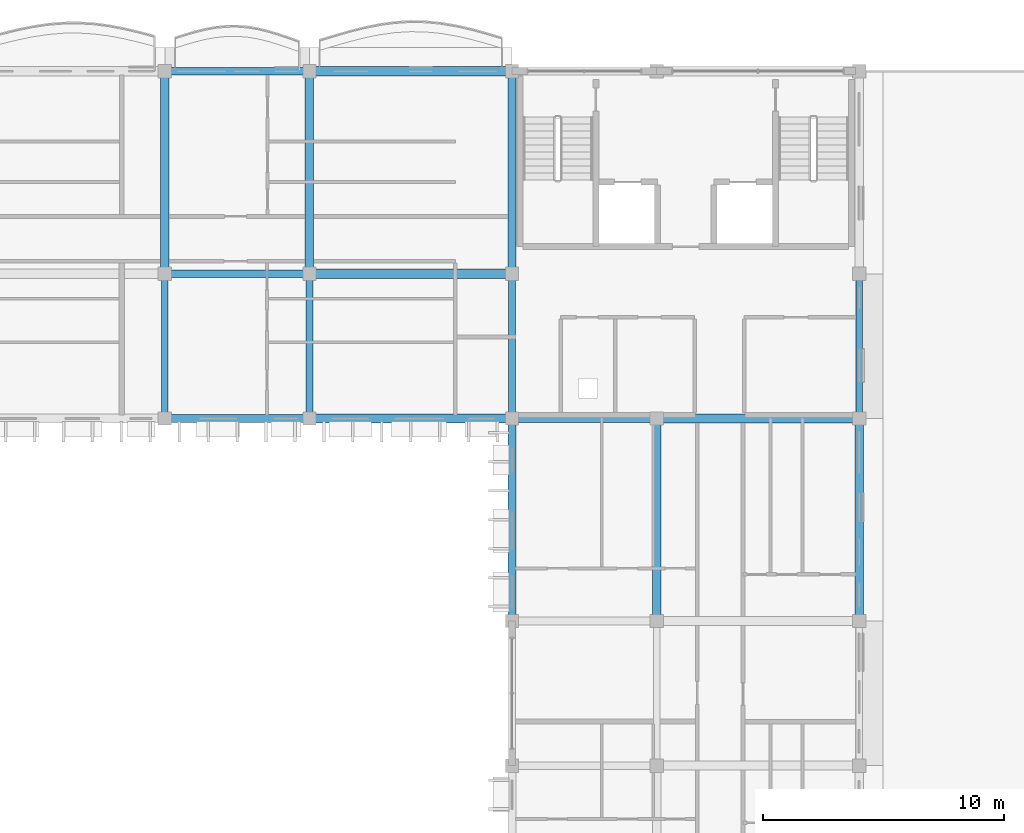
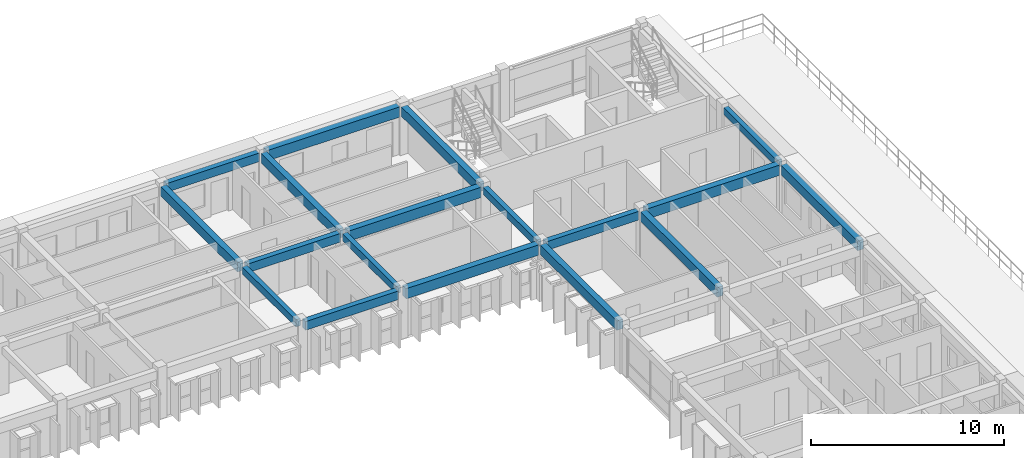
# One storey, part 16 of 68: 18 beams.
"""IFC4 building model written with IfcOpenShell, lengths in metres."""

from ifc_helpers import new_model, si_unit, direction, frame, origin, origin_2d, place, context, subcontext, project, spatial, rectangle, extrude, material, material_profile, profile_set, type_object, element, save


model = new_model("IFC4")

# Units and contexts
model_context = context("Model", 3, precision=1e-05, world=origin(), true_north=direction((0.0, 1.0)))
body_context = subcontext(model_context, "Body", "Model", "MODEL_VIEW")
ifc_project = project(units=[si_unit("LENGTHUNIT", "METRE"), si_unit("AREAUNIT", "SQUARE_METRE"), si_unit("VOLUMEUNIT", "CUBIC_METRE"), si_unit("PLANEANGLEUNIT", "RADIAN"), si_unit("MASSUNIT", "GRAM", prefix="KILO"), si_unit("THERMODYNAMICTEMPERATUREUNIT", "KELVIN")], contexts=[model_context])

# Site, building, storey
site_placement = place(None, origin())
site = spatial("IfcSite", under=ifc_project, at=site_placement, CompositionType="ELEMENT")
building_placement = place(site_placement, origin())
building = spatial("IfcBuilding", under=site, at=building_placement, Name="Thalorik Housing Commons", CompositionType="ELEMENT")
storey_placement = place(building_placement, frame((0.0, 0.0, 24.60009765625)))
storey = spatial("IfcBuildingStorey", under=building, at=storey_placement, Name="L07", CompositionType="ELEMENT", Elevation=24.60009765625)

# Beams
ifc_material = material(Name="Precast concrete C40/50", Category="concrete")
ifc_material_profile_1 = material_profile(ifc_material, rectangle(XDim=0.280029296875, YDim=0.449951171875, at=origin_2d()), Name="PC 280x450", Category="concrete")
ifc_profile_set_1 = profile_set([ifc_material_profile_1], Name="Precast concrete C40/50")
beam_type_1 = type_object("IfcBeamType", Name="STR-BM-PC280x450", PredefinedType="BEAM", material=ifc_profile_set_1)
for number, where, z_axis, x_axis, name in (
    (1, (138.0, 109.425048828125, 2.81494140625), (0.0, 1.0, 0.0), (-1.0, 0.0, 0.0), "L07 Beam B-450"),
    (2, (144.0, 109.425048828125, 2.81494140625), (0.0, 1.0, 0.0), (-1.0, 0.0, 0.0), "L07 Beam B-450"),
    (3, (152.39990234375, 109.425048828125, 2.81494140625), (0.0, 1.0, 0.0), (-1.0, 0.0, 0.0), "L07 Beam B-450"),
    (4, (166.800048828125, 109.425048828125, 2.81494140625), (0.0, 1.0, 0.0), (-1.0, 0.0, 0.0), "L07 Beam B-450"),
):
    element("IfcBeam", number, at=place(storey_placement, frame(where, z_axis=z_axis, x_axis=x_axis)), inside=storey, type_object=beam_type_1, Name=name, PredefinedType="BEAM", context=body_context, shape_type="SweptSolid", body=[
        extrude(rectangle(XDim=0.280029296875, YDim=0.449951171875, at=origin_2d()), origin(), (0.0, 0.0, 1.0), 5.550048828125),
    ])
ifc_material_profile_2 = material_profile(ifc_material, rectangle(XDim=0.320068359375, YDim=0.550048828125, at=origin_2d()), Name="PC 320x550", Category="concrete")
ifc_profile_set_2 = profile_set([ifc_material_profile_2], Name="Precast concrete C40/50")
beam_type_2 = type_object("IfcBeamType", Name="STR-BM-PC320x550", PredefinedType="BEAM", material=ifc_profile_set_2)
beam_1_placement = place(storey_placement, frame((138.22509765625, 109.199951171875, 2.764892578125), z_axis=(1.0, 0.0, 0.0), x_axis=(0.0, 1.0, 0.0)))
element("IfcBeam", 5, at=beam_1_placement, inside=storey, type_object=beam_type_2, Name="L07 Beam B-550", PredefinedType="BEAM", context=body_context, shape_type="SweptSolid", body=[
    extrude(rectangle(XDim=0.320068359375, YDim=0.550048828125, at=origin_2d()), origin(), (0.0, 0.0, 1.0), 5.5498046875),
])
beam_2_placement = place(storey_placement, frame((152.625, 109.199951171875, 2.764892578125), z_axis=(1.0, 0.0, 0.0), x_axis=(0.0, 1.0, 0.0)))
element("IfcBeam", 6, at=beam_2_placement, inside=storey, type_object=beam_type_2, Name="L07 Beam B-550", PredefinedType="BEAM", context=body_context, shape_type="SweptSolid", body=[
    extrude(rectangle(XDim=0.320068359375, YDim=0.550048828125, at=origin_2d()), origin(), (0.0, 0.0, 1.0), 5.550048828125),
])
for number, where, z_axis, x_axis, name in (
    (7, (138.22509765625, 115.199951171875, 2.764892578125), (1.0, 0.0, 0.0), (0.0, 1.0, 0.0), "L07 Beam B-550"),
    (8, (138.22509765625, 123.60009765625, 2.764892578125), (1.0, 0.0, 0.0), (0.0, 1.0, 0.0), "L07 Beam B-550"),
):
    element("IfcBeam", number, at=place(storey_placement, frame(where, z_axis=z_axis, x_axis=x_axis)), inside=storey, type_object=beam_type_2, Name=name, PredefinedType="BEAM", context=body_context, shape_type="SweptSolid", body=[
        extrude(rectangle(XDim=0.320068359375, YDim=0.550048828125, at=origin_2d()), origin(), (0.0, 0.0, 1.0), 5.5498046875),
    ])
ifc_material_profile_3 = material_profile(ifc_material, rectangle(XDim=0.35009765625, YDim=0.60009765625, at=origin_2d()), Name="PC 350x600", Category="concrete")
ifc_profile_set_3 = profile_set([ifc_material_profile_3], Name="Precast concrete C40/50")
beam_type_3 = type_object("IfcBeamType", Name="STR-BM-PC350x600", PredefinedType="BEAM", material=ifc_profile_set_3)
for number, where, z_axis, x_axis, name in (
    (9, (138.0, 115.425048828125, 2.739990234375), (0.0, 1.0, 0.0), (-1.0, 0.0, 0.0), "L07 Beam B-600"),
    (10, (144.0, 115.425048828125, 2.739990234375), (0.0, 1.0, 0.0), (-1.0, 0.0, 0.0), "L07 Beam B-600"),
):
    element("IfcBeam", number, at=place(storey_placement, frame(where, z_axis=z_axis, x_axis=x_axis)), inside=storey, type_object=beam_type_3, Name=name, PredefinedType="BEAM", context=body_context, shape_type="SweptSolid", body=[
        extrude(rectangle(XDim=0.35009765625, YDim=0.60009765625, at=origin_2d()), origin(), (0.0, 0.0, 1.0), 7.949951171875),
    ])
beam_3_placement = place(storey_placement, frame((152.39990234375, 101.02490234375, 2.739990234375), z_axis=(0.0, 1.0, 0.0), x_axis=(-1.0, 0.0, 0.0)))
element("IfcBeam", 11, at=beam_3_placement, inside=storey, type_object=beam_type_3, Name="L07 Beam B-600", PredefinedType="BEAM", context=body_context, shape_type="SweptSolid", body=[
    extrude(rectangle(XDim=0.35009765625, YDim=0.60009765625, at=origin_2d()), origin(), (0.0, 0.0, 1.0), 7.9501953125),
])
beam_4_placement = place(storey_placement, frame((152.39990234375, 115.425048828125, 2.739990234375), z_axis=(0.0, 1.0, 0.0), x_axis=(-1.0, 0.0, 0.0)))
element("IfcBeam", 12, at=beam_4_placement, inside=storey, type_object=beam_type_3, Name="L07 Beam B-600", PredefinedType="BEAM", context=body_context, shape_type="SweptSolid", body=[
    extrude(rectangle(XDim=0.35009765625, YDim=0.60009765625, at=origin_2d()), origin(), (0.0, 0.0, 1.0), 7.949951171875),
])
for number, where, z_axis, x_axis, name in (
    (13, (158.39990234375, 101.02490234375, 2.739990234375), (0.0, 1.0, 0.0), (-1.0, 0.0, 0.0), "L07 Beam B-600"),
    (14, (166.800048828125, 101.02490234375, 2.739990234375), (0.0, 1.0, 0.0), (-1.0, 0.0, 0.0), "L07 Beam B-600"),
):
    element("IfcBeam", number, at=place(storey_placement, frame(where, z_axis=z_axis, x_axis=x_axis)), inside=storey, type_object=beam_type_3, Name=name, PredefinedType="BEAM", context=body_context, shape_type="SweptSolid", body=[
        extrude(rectangle(XDim=0.35009765625, YDim=0.60009765625, at=origin_2d()), origin(), (0.0, 0.0, 1.0), 7.9501953125),
    ])
ifc_material_profile_4 = material_profile(ifc_material, rectangle(XDim=0.3798828125, YDim=0.64990234375, at=origin_2d()), Name="PC 380x650", Category="concrete")
ifc_profile_set_4 = profile_set([ifc_material_profile_4], Name="Precast concrete C40/50")
beam_type_4 = type_object("IfcBeamType", Name="STR-BM-PC380x650", PredefinedType="BEAM", material=ifc_profile_set_4)
for number, where, z_axis, x_axis, name in (
    (15, (144.22509765625, 109.199951171875, 2.71484375), (1.0, 0.0, 0.0), (0.0, 1.0, 0.0), "L07 Beam B-650"),
    (16, (158.625, 109.199951171875, 2.71484375), (1.0, 0.0, 0.0), (0.0, 1.0, 0.0), "L07 Beam B-650"),
    (17, (144.22509765625, 115.199951171875, 2.71484375), (1.0, 0.0, 0.0), (0.0, 1.0, 0.0), "L07 Beam B-650"),
    (18, (144.22509765625, 123.60009765625, 2.71484375), (1.0, 0.0, 0.0), (0.0, 1.0, 0.0), "L07 Beam B-650"),
):
    element("IfcBeam", number, at=place(storey_placement, frame(where, z_axis=z_axis, x_axis=x_axis)), inside=storey, type_object=beam_type_4, Name=name, PredefinedType="BEAM", context=body_context, shape_type="SweptSolid", body=[
        extrude(rectangle(XDim=0.3798828125, YDim=0.64990234375, at=origin_2d()), origin(), (0.0, 0.0, 1.0), 7.949951171875),
    ])

save(model, "model.ifc")
